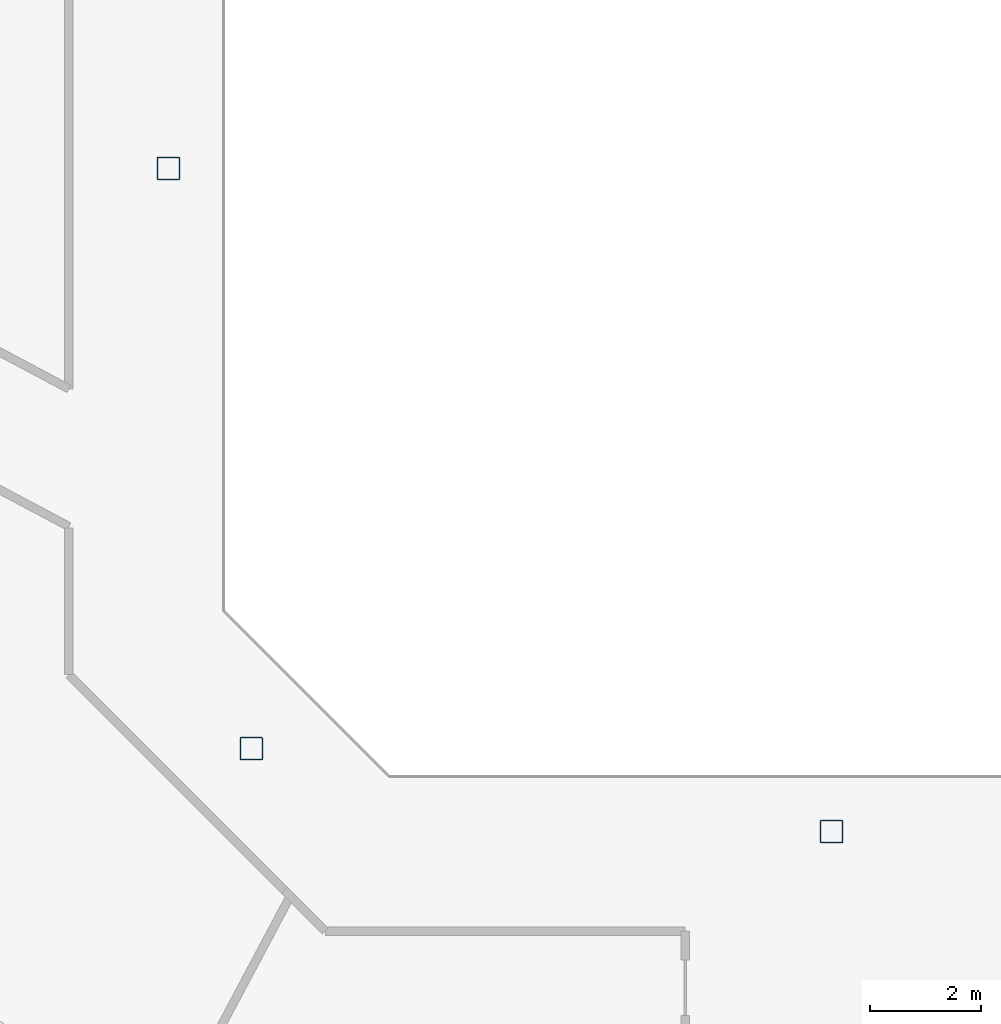
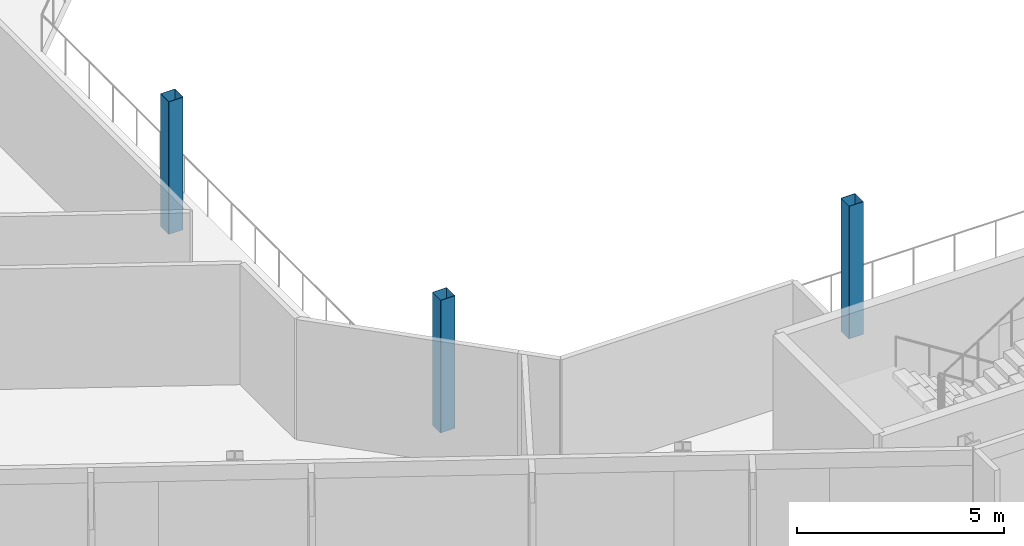
# One storey, part 2 of 25: 3 columns.
"""IFC4 building model written with IfcOpenShell, lengths in metres."""

from ifc_helpers import new_model, si_unit, direction, frame, origin, origin_2d, place, context, subcontext, project, spatial, hollow_rectangle, extrude, material, material_profile, profile_set, type_object, element, save


model = new_model("IFC4")

# Units and contexts
model_context = context("Model", 3, precision=1e-05, world=origin(), true_north=direction((0.0, 1.0)))
body_context = subcontext(model_context, "Body", "Model", "MODEL_VIEW")
ifc_project = project(units=[si_unit("LENGTHUNIT", "METRE"), si_unit("AREAUNIT", "SQUARE_METRE"), si_unit("VOLUMEUNIT", "CUBIC_METRE"), si_unit("PLANEANGLEUNIT", "RADIAN"), si_unit("MASSUNIT", "GRAM", prefix="KILO")], contexts=[model_context])

# Site, building, storey
site_placement = place(None, origin())
site = spatial("IfcSite", under=ifc_project, at=site_placement, CompositionType="ELEMENT")
building_placement = place(site_placement, origin())
building = spatial("IfcBuilding", under=site, at=building_placement, Name="Cormorant Relay Tower", CompositionType="ELEMENT")
storey_placement = place(building_placement, frame((0.0, 0.0, 273.60009765625)))
storey = spatial("IfcBuildingStorey", under=building, at=storey_placement, Name="L61", CompositionType="ELEMENT", Elevation=273.60009765625)

# Columns
ifc_material = material(Name="Steel ASTM A500 Grade C (Fy 345 MPa)", Category="steel")
ifc_material_profile = material_profile(ifc_material, hollow_rectangle(XDim=0.406494140625, YDim=0.406494140625, WallThickness=0.0087890625, InnerFilletRadius=0.00439453125, OuterFilletRadius=0.01318359375, at=origin_2d()), Name="HSS406x406x9")
ifc_profile_set = profile_set([ifc_material_profile], Name="Steel ASTM A500 Grade C (Fy 345 MPa)")
column_type = type_object("IfcColumnType", Name="Column HSS406x406x9", PredefinedType="COLUMN", material=ifc_profile_set)
for number, where, z_axis, x_axis, name in (
    (1, (0.0, -12.0, 0.0), (0.0, 0.0, 1.0), (1.0, 0.0, 0.0), "Column L61-007"),
    (2, (-10.5, -10.5, 0.0), (0.0, 0.0, 1.0), (1.0, 0.0, 0.0), "Column L61-009"),
    (3, (-12.0, 0.0, 0.0), (0.0, 0.0, 1.0), (1.0, 0.0, 0.0), "Column L61-015"),
):
    element("IfcColumn", number, at=place(storey_placement, frame(where, z_axis=z_axis, x_axis=x_axis)), inside=storey, type_object=column_type, Name=name, PredefinedType="COLUMN", context=body_context, shape_type="SweptSolid", body=[
        extrude(hollow_rectangle(XDim=0.406494140625, YDim=0.406494140625, WallThickness=0.0087890625, InnerFilletRadius=0.00439453125, OuterFilletRadius=0.01318359375, at=origin_2d()), origin(), (0.0, 0.0, 1.0), 3.89990234375),
    ])

save(model, "model.ifc")
